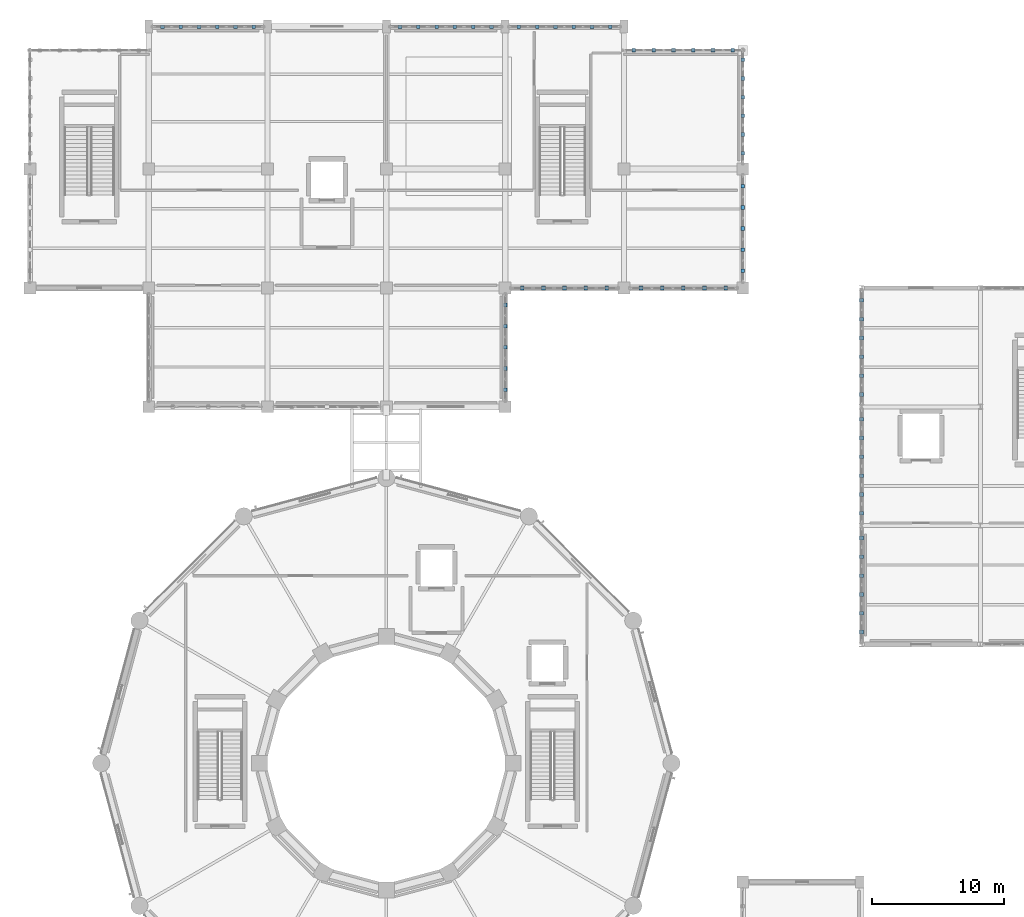
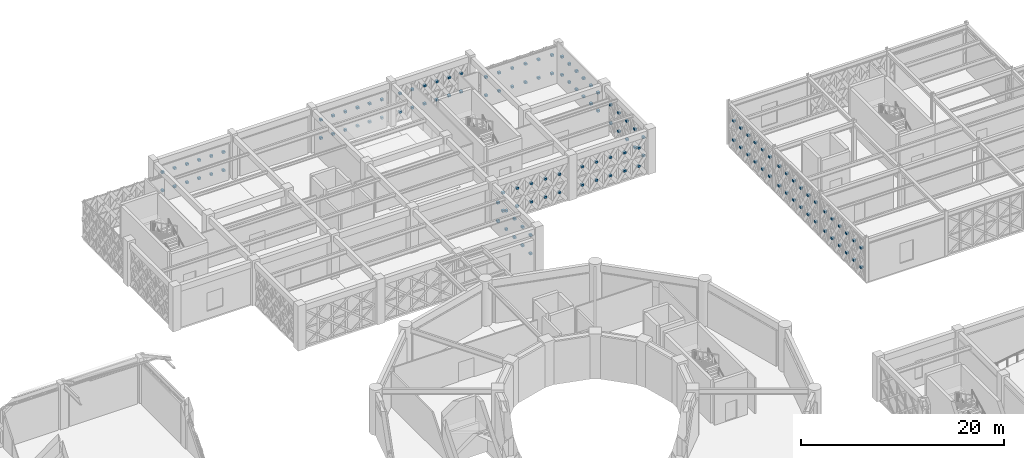
# One storey, part 152 of 166: 136 discrete accessories.
"""IFC4 building model written with IfcOpenShell, lengths in metres."""

from ifc_helpers import new_model, si_unit, direction, frame, origin, origin_2d, place, context, subcontext, project, spatial, rectangle, extrude, material, type_object, element, save


model = new_model("IFC4")

# Units and contexts
model_context = context("Model", 3, precision=1e-05, world=origin(), true_north=direction((0.0, 1.0)))
body_context = subcontext(model_context, "Body", "Model", "MODEL_VIEW")
ifc_project = project(units=[si_unit("LENGTHUNIT", "METRE"), si_unit("AREAUNIT", "SQUARE_METRE"), si_unit("VOLUMEUNIT", "CUBIC_METRE"), si_unit("PLANEANGLEUNIT", "RADIAN"), si_unit("MASSUNIT", "GRAM", prefix="KILO")], contexts=[model_context])

# Site, building, storey
site_placement = place(None, origin())
site = spatial("IfcSite", under=ifc_project, at=site_placement, CompositionType="ELEMENT")
building_placement = place(site_placement, origin())
building = spatial("IfcBuilding", under=site, at=building_placement, Name="Haizhuo Lancet Aquarium", CompositionType="ELEMENT")
storey_placement = place(building_placement, frame((0.0, 0.0, 5.39990234375)))
storey = spatial("IfcBuildingStorey", under=building, at=storey_placement, Name="L01", CompositionType="ELEMENT", Elevation=5.39990234375)

# Discrete accessories
ifc_material = material(Name="Steel S355", Category="steel")
discrete_accessory_type = type_object("IfcDiscreteAccessoryType", Name="ACC-END-CAP", PredefinedType="BRACKET", material=ifc_material)
for number, where, z_axis, x_axis, name in (
    (1, (-16.9619140625, 55.800048828125, 0.97802734375), (0.0, 0.0, 1.0), (1.0, 0.0, 0.0), "L01 X-brace crossing gusset plate XN-CW-V5-L01-131-LB01B1"),
    (2, (-16.9619140625, 55.800048828125, 3.171875), (0.0, 0.0, 1.0), (1.0, 0.0, 0.0), "L01 X-brace crossing gusset plate XN-CW-V5-L01-131-LB02B1"),
    (3, (-15.577880859375, 55.800048828125, 0.97802734375), (0.0, 0.0, 1.0), (1.0, 0.0, 0.0), "L01 X-brace crossing gusset plate XN-CW-V5-L01-131-LB03B1"),
    (4, (-15.577880859375, 55.800048828125, 3.171875), (0.0, 0.0, 1.0), (1.0, 0.0, 0.0), "L01 X-brace crossing gusset plate XN-CW-V5-L01-131-LB04B1"),
    (5, (-14.19189453125, 55.800048828125, 0.97802734375), (0.0, 0.0, 1.0), (1.0, 0.0, 0.0), "L01 X-brace crossing gusset plate XN-CW-V5-L01-131-LB05B1"),
    (6, (-14.19189453125, 55.800048828125, 3.171875), (0.0, 0.0, 1.0), (1.0, 0.0, 0.0), "L01 X-brace crossing gusset plate XN-CW-V5-L01-131-LB06B1"),
    (7, (-12.80810546875, 55.800048828125, 0.97802734375), (0.0, 0.0, 1.0), (1.0, 0.0, 0.0), "L01 X-brace crossing gusset plate XN-CW-V5-L01-131-LB07B1"),
    (8, (-12.80810546875, 55.800048828125, 3.171875), (0.0, 0.0, 1.0), (1.0, 0.0, 0.0), "L01 X-brace crossing gusset plate XN-CW-V5-L01-131-LB08B1"),
    (9, (-11.422119140625, 55.800048828125, 0.97802734375), (0.0, 0.0, 1.0), (1.0, 0.0, 0.0), "L01 X-brace crossing gusset plate XN-CW-V5-L01-131-LB09B1"),
    (10, (-11.422119140625, 55.800048828125, 3.171875), (0.0, 0.0, 1.0), (1.0, 0.0, 0.0), "L01 X-brace crossing gusset plate XN-CW-V5-L01-131-LB10B1"),
    (11, (-10.0380859375, 55.800048828125, 0.97802734375), (0.0, 0.0, 1.0), (1.0, 0.0, 0.0), "L01 X-brace crossing gusset plate XN-CW-V5-L01-131-LB11B1"),
    (12, (-10.0380859375, 55.800048828125, 3.171875), (0.0, 0.0, 1.0), (1.0, 0.0, 0.0), "L01 X-brace crossing gusset plate XN-CW-V5-L01-131-LB12B1"),
    (13, (1.0380859375, 55.800048828125, 0.97802734375), (0.0, 0.0, 1.0), (1.0, 0.0, 0.0), "L01 X-brace crossing gusset plate XN-CW-V5-L01-132-LB01B1"),
    (14, (1.0380859375, 55.800048828125, 3.171875), (0.0, 0.0, 1.0), (1.0, 0.0, 0.0), "L01 X-brace crossing gusset plate XN-CW-V5-L01-132-LB02B1"),
    (15, (2.423095703125, 55.800048828125, 0.97802734375), (0.0, 0.0, 1.0), (1.0, 0.0, 0.0), "L01 X-brace crossing gusset plate XN-CW-V5-L01-132-LB03B1"),
    (16, (2.423095703125, 55.800048828125, 3.171875), (0.0, 0.0, 1.0), (1.0, 0.0, 0.0), "L01 X-brace crossing gusset plate XN-CW-V5-L01-132-LB04B1"),
    (17, (3.80810546875, 55.800048828125, 0.97802734375), (0.0, 0.0, 1.0), (1.0, 0.0, 0.0), "L01 X-brace crossing gusset plate XN-CW-V5-L01-132-LB05B1"),
    (18, (3.80810546875, 55.800048828125, 3.171875), (0.0, 0.0, 1.0), (1.0, 0.0, 0.0), "L01 X-brace crossing gusset plate XN-CW-V5-L01-132-LB06B1"),
    (19, (5.19189453125, 55.800048828125, 0.97802734375), (0.0, 0.0, 1.0), (1.0, 0.0, 0.0), "L01 X-brace crossing gusset plate XN-CW-V5-L01-132-LB07B1"),
    (20, (5.19189453125, 55.800048828125, 3.171875), (0.0, 0.0, 1.0), (1.0, 0.0, 0.0), "L01 X-brace crossing gusset plate XN-CW-V5-L01-132-LB08B1"),
    (21, (6.576904296875, 55.800048828125, 0.97802734375), (0.0, 0.0, 1.0), (1.0, 0.0, 0.0), "L01 X-brace crossing gusset plate XN-CW-V5-L01-132-LB09B1"),
    (22, (6.576904296875, 55.800048828125, 3.171875), (0.0, 0.0, 1.0), (1.0, 0.0, 0.0), "L01 X-brace crossing gusset plate XN-CW-V5-L01-132-LB10B1"),
    (23, (7.9619140625, 55.800048828125, 0.97802734375), (0.0, 0.0, 1.0), (1.0, 0.0, 0.0), "L01 X-brace crossing gusset plate XN-CW-V5-L01-132-LB11B1"),
    (24, (7.9619140625, 55.800048828125, 3.171875), (0.0, 0.0, 1.0), (1.0, 0.0, 0.0), "L01 X-brace crossing gusset plate XN-CW-V5-L01-132-LB12B1"),
    (25, (10.0380859375, 55.800048828125, 0.97802734375), (0.0, 0.0, 1.0), (1.0, 0.0, 0.0), "L01 X-brace crossing gusset plate XN-CW-V5-L01-133-LB01B1"),
    (26, (10.0380859375, 55.800048828125, 3.171875), (0.0, 0.0, 1.0), (1.0, 0.0, 0.0), "L01 X-brace crossing gusset plate XN-CW-V5-L01-133-LB02B1"),
    (27, (11.422119140625, 55.800048828125, 0.97802734375), (0.0, 0.0, 1.0), (1.0, 0.0, 0.0), "L01 X-brace crossing gusset plate XN-CW-V5-L01-133-LB03B1"),
    (28, (11.422119140625, 55.800048828125, 3.171875), (0.0, 0.0, 1.0), (1.0, 0.0, 0.0), "L01 X-brace crossing gusset plate XN-CW-V5-L01-133-LB04B1"),
    (29, (12.80810546875, 55.800048828125, 0.97802734375), (0.0, 0.0, 1.0), (1.0, 0.0, 0.0), "L01 X-brace crossing gusset plate XN-CW-V5-L01-133-LB05B1"),
    (30, (12.80810546875, 55.800048828125, 3.171875), (0.0, 0.0, 1.0), (1.0, 0.0, 0.0), "L01 X-brace crossing gusset plate XN-CW-V5-L01-133-LB06B1"),
    (31, (14.19189453125, 55.800048828125, 0.97802734375), (0.0, 0.0, 1.0), (1.0, 0.0, 0.0), "L01 X-brace crossing gusset plate XN-CW-V5-L01-133-LB07B1"),
    (32, (14.19189453125, 55.800048828125, 3.171875), (0.0, 0.0, 1.0), (1.0, 0.0, 0.0), "L01 X-brace crossing gusset plate XN-CW-V5-L01-133-LB08B1"),
    (33, (15.577880859375, 55.800048828125, 0.97802734375), (0.0, 0.0, 1.0), (1.0, 0.0, 0.0), "L01 X-brace crossing gusset plate XN-CW-V5-L01-133-LB09B1"),
    (34, (15.577880859375, 55.800048828125, 3.171875), (0.0, 0.0, 1.0), (1.0, 0.0, 0.0), "L01 X-brace crossing gusset plate XN-CW-V5-L01-133-LB10B1"),
    (35, (16.9619140625, 55.800048828125, 0.97802734375), (0.0, 0.0, 1.0), (1.0, 0.0, 0.0), "L01 X-brace crossing gusset plate XN-CW-V5-L01-133-LB11B1"),
    (36, (16.9619140625, 55.800048828125, 3.171875), (0.0, 0.0, 1.0), (1.0, 0.0, 0.0), "L01 X-brace crossing gusset plate XN-CW-V5-L01-133-LB12B1"),
    (37, (18.75, 54.0, 0.986328125), (0.0, 0.0, 1.0), (1.0, 0.0, 0.0), "L01 X-brace crossing gusset plate XN-CW-V5-L01-134-LB01B1"),
    (38, (18.75, 54.0, 3.1982421875), (0.0, 0.0, 1.0), (1.0, 0.0, 0.0), "L01 X-brace crossing gusset plate XN-CW-V5-L01-134-LB02B1"),
    (39, (20.25, 54.0, 0.986328125), (0.0, 0.0, 1.0), (1.0, 0.0, 0.0), "L01 X-brace crossing gusset plate XN-CW-V5-L01-134-LB03B1"),
    (40, (20.25, 54.0, 3.1982421875), (0.0, 0.0, 1.0), (1.0, 0.0, 0.0), "L01 X-brace crossing gusset plate XN-CW-V5-L01-134-LB04B1"),
    (41, (21.75, 54.0, 0.986328125), (0.0, 0.0, 1.0), (1.0, 0.0, 0.0), "L01 X-brace crossing gusset plate XN-CW-V5-L01-134-LB05B1"),
    (42, (21.75, 54.0, 3.1982421875), (0.0, 0.0, 1.0), (1.0, 0.0, 0.0), "L01 X-brace crossing gusset plate XN-CW-V5-L01-134-LB06B1"),
    (43, (23.25, 54.0, 0.986328125), (0.0, 0.0, 1.0), (1.0, 0.0, 0.0), "L01 X-brace crossing gusset plate XN-CW-V5-L01-134-LB07B1"),
    (44, (23.25, 54.0, 3.1982421875), (0.0, 0.0, 1.0), (1.0, 0.0, 0.0), "L01 X-brace crossing gusset plate XN-CW-V5-L01-134-LB08B1"),
    (45, (24.75, 54.0, 0.986328125), (0.0, 0.0, 1.0), (1.0, 0.0, 0.0), "L01 X-brace crossing gusset plate XN-CW-V5-L01-134-LB09B1"),
    (46, (24.75, 54.0, 3.1982421875), (0.0, 0.0, 1.0), (1.0, 0.0, 0.0), "L01 X-brace crossing gusset plate XN-CW-V5-L01-134-LB10B1"),
    (47, (26.25, 54.0, 0.986328125), (0.0, 0.0, 1.0), (1.0, 0.0, 0.0), "L01 X-brace crossing gusset plate XN-CW-V5-L01-134-LB11B1"),
    (48, (26.25, 54.0, 3.1982421875), (0.0, 0.0, 1.0), (1.0, 0.0, 0.0), "L01 X-brace crossing gusset plate XN-CW-V5-L01-134-LB12B1"),
    (49, (27.0, 53.291015625, 0.97412109375), (0.0, 0.0, 1.0), (1.0, 0.0, 0.0), "L01 X-brace crossing gusset plate XN-CW-V5-L01-135-LB01B1"),
    (50, (27.0, 53.291015625, 3.1611328125), (0.0, 0.0, 1.0), (1.0, 0.0, 0.0), "L01 X-brace crossing gusset plate XN-CW-V5-L01-135-LB02B1"),
    (51, (27.0, 51.873046875, 0.97412109375), (0.0, 0.0, 1.0), (1.0, 0.0, 0.0), "L01 X-brace crossing gusset plate XN-CW-V5-L01-135-LB03B1"),
    (52, (27.0, 51.873046875, 3.1611328125), (0.0, 0.0, 1.0), (1.0, 0.0, 0.0), "L01 X-brace crossing gusset plate XN-CW-V5-L01-135-LB04B1"),
    (53, (27.0, 50.4560546875, 0.97412109375), (0.0, 0.0, 1.0), (1.0, 0.0, 0.0), "L01 X-brace crossing gusset plate XN-CW-V5-L01-135-LB05B1"),
    (54, (27.0, 50.4560546875, 3.1611328125), (0.0, 0.0, 1.0), (1.0, 0.0, 0.0), "L01 X-brace crossing gusset plate XN-CW-V5-L01-135-LB06B1"),
    (55, (27.0, 49.0390625, 0.97412109375), (0.0, 0.0, 1.0), (1.0, 0.0, 0.0), "L01 X-brace crossing gusset plate XN-CW-V5-L01-135-LB07B1"),
    (56, (27.0, 49.0390625, 3.1611328125), (0.0, 0.0, 1.0), (1.0, 0.0, 0.0), "L01 X-brace crossing gusset plate XN-CW-V5-L01-135-LB08B1"),
    (57, (27.0, 47.62109375, 0.97412109375), (0.0, 0.0, 1.0), (1.0, 0.0, 0.0), "L01 X-brace crossing gusset plate XN-CW-V5-L01-135-LB09B1"),
    (58, (27.0, 47.62109375, 3.1611328125), (0.0, 0.0, 1.0), (1.0, 0.0, 0.0), "L01 X-brace crossing gusset plate XN-CW-V5-L01-135-LB10B1"),
    (59, (27.0, 46.202880859375, 0.97412109375), (0.0, 0.0, 1.0), (1.0, 0.0, 0.0), "L01 X-brace crossing gusset plate XN-CW-V5-L01-135-LB11B1"),
    (60, (27.0, 46.202880859375, 3.1611328125), (0.0, 0.0, 1.0), (1.0, 0.0, 0.0), "L01 X-brace crossing gusset plate XN-CW-V5-L01-135-LB12B1"),
    (61, (27.0, 43.7041015625, 0.990234375), (0.0, 0.0, 1.0), (1.0, 0.0, 0.0), "L01 X-brace crossing gusset plate XN-CW-V5-L01-136-LB01B1"),
    (62, (27.0, 43.7041015625, 3.2099609375), (0.0, 0.0, 1.0), (1.0, 0.0, 0.0), "L01 X-brace crossing gusset plate XN-CW-V5-L01-136-LB02B1"),
    (63, (27.0, 42.10205078125, 0.990234375), (0.0, 0.0, 1.0), (1.0, 0.0, 0.0), "L01 X-brace crossing gusset plate XN-CW-V5-L01-136-LB03B1"),
    (64, (27.0, 42.10205078125, 3.2099609375), (0.0, 0.0, 1.0), (1.0, 0.0, 0.0), "L01 X-brace crossing gusset plate XN-CW-V5-L01-136-LB04B1"),
    (65, (27.0, 40.5, 0.990234375), (0.0, 0.0, 1.0), (1.0, 0.0, 0.0), "L01 X-brace crossing gusset plate XN-CW-V5-L01-136-LB05B1"),
    (66, (27.0, 40.5, 3.2099609375), (0.0, 0.0, 1.0), (1.0, 0.0, 0.0), "L01 X-brace crossing gusset plate XN-CW-V5-L01-136-LB06B1"),
    (67, (27.0, 38.89794921875, 0.990234375), (0.0, 0.0, 1.0), (1.0, 0.0, 0.0), "L01 X-brace crossing gusset plate XN-CW-V5-L01-136-LB07B1"),
    (68, (27.0, 38.89794921875, 3.2099609375), (0.0, 0.0, 1.0), (1.0, 0.0, 0.0), "L01 X-brace crossing gusset plate XN-CW-V5-L01-136-LB08B1"),
    (69, (27.0, 37.2958984375, 0.990234375), (0.0, 0.0, 1.0), (1.0, 0.0, 0.0), "L01 X-brace crossing gusset plate XN-CW-V5-L01-136-LB09B1"),
    (70, (27.0, 37.2958984375, 3.2099609375), (0.0, 0.0, 1.0), (1.0, 0.0, 0.0), "L01 X-brace crossing gusset plate XN-CW-V5-L01-136-LB10B1"),
    (71, (25.7041015625, 36.0, 0.97802734375), (0.0, 0.0, 1.0), (1.0, 0.0, 0.0), "L01 X-brace crossing gusset plate XN-CW-V5-L01-137-LB01B1"),
    (72, (25.7041015625, 36.0, 3.171875), (0.0, 0.0, 1.0), (1.0, 0.0, 0.0), "L01 X-brace crossing gusset plate XN-CW-V5-L01-137-LB02B1"),
    (73, (24.10205078125, 36.0, 0.97802734375), (0.0, 0.0, 1.0), (1.0, 0.0, 0.0), "L01 X-brace crossing gusset plate XN-CW-V5-L01-137-LB03B1"),
    (74, (24.10205078125, 36.0, 3.171875), (0.0, 0.0, 1.0), (1.0, 0.0, 0.0), "L01 X-brace crossing gusset plate XN-CW-V5-L01-137-LB04B1"),
    (75, (22.5, 36.0, 0.97802734375), (0.0, 0.0, 1.0), (1.0, 0.0, 0.0), "L01 X-brace crossing gusset plate XN-CW-V5-L01-137-LB05B1"),
    (76, (22.5, 36.0, 3.171875), (0.0, 0.0, 1.0), (1.0, 0.0, 0.0), "L01 X-brace crossing gusset plate XN-CW-V5-L01-137-LB06B1"),
    (77, (20.89794921875, 36.0, 0.97802734375), (0.0, 0.0, 1.0), (1.0, 0.0, 0.0), "L01 X-brace crossing gusset plate XN-CW-V5-L01-137-LB07B1"),
    (78, (20.89794921875, 36.0, 3.171875), (0.0, 0.0, 1.0), (1.0, 0.0, 0.0), "L01 X-brace crossing gusset plate XN-CW-V5-L01-137-LB08B1"),
    (79, (19.2958984375, 36.0, 0.97802734375), (0.0, 0.0, 1.0), (1.0, 0.0, 0.0), "L01 X-brace crossing gusset plate XN-CW-V5-L01-137-LB09B1"),
    (80, (19.2958984375, 36.0, 3.171875), (0.0, 0.0, 1.0), (1.0, 0.0, 0.0), "L01 X-brace crossing gusset plate XN-CW-V5-L01-137-LB10B1"),
    (81, (16.7041015625, 36.0, 0.97802734375), (0.0, 0.0, 1.0), (1.0, 0.0, 0.0), "L01 X-brace crossing gusset plate XN-CW-V5-L01-138-LB01B1"),
    (82, (16.7041015625, 36.0, 3.171875), (0.0, 0.0, 1.0), (1.0, 0.0, 0.0), "L01 X-brace crossing gusset plate XN-CW-V5-L01-138-LB02B1"),
    (83, (15.10205078125, 36.0, 0.97802734375), (0.0, 0.0, 1.0), (1.0, 0.0, 0.0), "L01 X-brace crossing gusset plate XN-CW-V5-L01-138-LB03B1"),
    (84, (15.10205078125, 36.0, 3.171875), (0.0, 0.0, 1.0), (1.0, 0.0, 0.0), "L01 X-brace crossing gusset plate XN-CW-V5-L01-138-LB04B1"),
    (85, (13.5, 36.0, 0.97802734375), (0.0, 0.0, 1.0), (1.0, 0.0, 0.0), "L01 X-brace crossing gusset plate XN-CW-V5-L01-138-LB05B1"),
    (86, (13.5, 36.0, 3.171875), (0.0, 0.0, 1.0), (1.0, 0.0, 0.0), "L01 X-brace crossing gusset plate XN-CW-V5-L01-138-LB06B1"),
    (87, (11.89794921875, 36.0, 0.97802734375), (0.0, 0.0, 1.0), (1.0, 0.0, 0.0), "L01 X-brace crossing gusset plate XN-CW-V5-L01-138-LB07B1"),
    (88, (11.89794921875, 36.0, 3.171875), (0.0, 0.0, 1.0), (1.0, 0.0, 0.0), "L01 X-brace crossing gusset plate XN-CW-V5-L01-138-LB08B1"),
    (89, (10.2958984375, 36.0, 0.97802734375), (0.0, 0.0, 1.0), (1.0, 0.0, 0.0), "L01 X-brace crossing gusset plate XN-CW-V5-L01-138-LB09B1"),
    (90, (10.2958984375, 36.0, 3.171875), (0.0, 0.0, 1.0), (1.0, 0.0, 0.0), "L01 X-brace crossing gusset plate XN-CW-V5-L01-138-LB10B1"),
    (91, (9.0, 34.7041015625, 0.990234375), (0.0, 0.0, 1.0), (1.0, 0.0, 0.0), "L01 X-brace crossing gusset plate XN-CW-V5-L01-139-LB01B1"),
    (92, (9.0, 34.7041015625, 3.2099609375), (0.0, 0.0, 1.0), (1.0, 0.0, 0.0), "L01 X-brace crossing gusset plate XN-CW-V5-L01-139-LB02B1"),
    (93, (9.0, 33.10205078125, 0.990234375), (0.0, 0.0, 1.0), (1.0, 0.0, 0.0), "L01 X-brace crossing gusset plate XN-CW-V5-L01-139-LB03B1"),
    (94, (9.0, 33.10205078125, 3.2099609375), (0.0, 0.0, 1.0), (1.0, 0.0, 0.0), "L01 X-brace crossing gusset plate XN-CW-V5-L01-139-LB04B1"),
    (95, (9.0, 31.5, 0.990234375), (0.0, 0.0, 1.0), (1.0, 0.0, 0.0), "L01 X-brace crossing gusset plate XN-CW-V5-L01-139-LB05B1"),
    (96, (9.0, 31.5, 3.2099609375), (0.0, 0.0, 1.0), (1.0, 0.0, 0.0), "L01 X-brace crossing gusset plate XN-CW-V5-L01-139-LB06B1"),
    (97, (9.0, 29.89794921875, 0.990234375), (0.0, 0.0, 1.0), (1.0, 0.0, 0.0), "L01 X-brace crossing gusset plate XN-CW-V5-L01-139-LB07B1"),
    (98, (9.0, 29.89794921875, 3.2099609375), (0.0, 0.0, 1.0), (1.0, 0.0, 0.0), "L01 X-brace crossing gusset plate XN-CW-V5-L01-139-LB08B1"),
    (99, (9.0, 28.2958984375, 0.990234375), (0.0, 0.0, 1.0), (1.0, 0.0, 0.0), "L01 X-brace crossing gusset plate XN-CW-V5-L01-139-LB09B1"),
    (100, (9.0, 28.2958984375, 3.2099609375), (0.0, 0.0, 1.0), (1.0, 0.0, 0.0), "L01 X-brace crossing gusset plate XN-CW-V5-L01-139-LB10B1"),
    (101, (36.0, 9.93408203125, 1.04296875), (0.0, 0.0, 1.0), (1.0, 0.0, 0.0), "L01 X-brace crossing gusset plate XN-CW-V7-L01-293-LB01B1"),
    (102, (36.0, 9.93408203125, 3.369140625), (0.0, 0.0, 1.0), (1.0, 0.0, 0.0), "L01 X-brace crossing gusset plate XN-CW-V7-L01-293-LB02B1"),
    (103, (36.0, 11.360107421875, 1.04296875), (0.0, 0.0, 1.0), (1.0, 0.0, 0.0), "L01 X-brace crossing gusset plate XN-CW-V7-L01-293-LB03B1"),
    (104, (36.0, 11.360107421875, 3.369140625), (0.0, 0.0, 1.0), (1.0, 0.0, 0.0), "L01 X-brace crossing gusset plate XN-CW-V7-L01-293-LB04B1"),
    (105, (36.0, 12.787109375, 1.04296875), (0.0, 0.0, 1.0), (1.0, 0.0, 0.0), "L01 X-brace crossing gusset plate XN-CW-V7-L01-293-LB05B1"),
    (106, (36.0, 12.787109375, 3.369140625), (0.0, 0.0, 1.0), (1.0, 0.0, 0.0), "L01 X-brace crossing gusset plate XN-CW-V7-L01-293-LB06B1"),
    (107, (36.0, 14.212890625, 1.04296875), (0.0, 0.0, 1.0), (1.0, 0.0, 0.0), "L01 X-brace crossing gusset plate XN-CW-V7-L01-293-LB07B1"),
    (108, (36.0, 14.212890625, 3.369140625), (0.0, 0.0, 1.0), (1.0, 0.0, 0.0), "L01 X-brace crossing gusset plate XN-CW-V7-L01-293-LB08B1"),
    (109, (36.0, 15.639892578125, 1.04296875), (0.0, 0.0, 1.0), (1.0, 0.0, 0.0), "L01 X-brace crossing gusset plate XN-CW-V7-L01-293-LB09B1"),
    (110, (36.0, 15.639892578125, 3.369140625), (0.0, 0.0, 1.0), (1.0, 0.0, 0.0), "L01 X-brace crossing gusset plate XN-CW-V7-L01-293-LB10B1"),
    (111, (36.0, 17.06689453125, 1.04296875), (0.0, 0.0, 1.0), (1.0, 0.0, 0.0), "L01 X-brace crossing gusset plate XN-CW-V7-L01-293-LB11B1"),
    (112, (36.0, 17.06689453125, 3.369140625), (0.0, 0.0, 1.0), (1.0, 0.0, 0.0), "L01 X-brace crossing gusset plate XN-CW-V7-L01-293-LB12B1"),
    (113, (36.0, 18.93310546875, 1.04296875), (0.0, 0.0, 1.0), (1.0, 0.0, 0.0), "L01 X-brace crossing gusset plate XN-CW-V7-L01-294-LB01B1"),
    (114, (36.0, 18.93310546875, 3.369140625), (0.0, 0.0, 1.0), (1.0, 0.0, 0.0), "L01 X-brace crossing gusset plate XN-CW-V7-L01-294-LB02B1"),
    (115, (36.0, 20.360107421875, 1.04296875), (0.0, 0.0, 1.0), (1.0, 0.0, 0.0), "L01 X-brace crossing gusset plate XN-CW-V7-L01-294-LB03B1"),
    (116, (36.0, 20.360107421875, 3.369140625), (0.0, 0.0, 1.0), (1.0, 0.0, 0.0), "L01 X-brace crossing gusset plate XN-CW-V7-L01-294-LB04B1"),
    (117, (36.0, 21.787109375, 1.04296875), (0.0, 0.0, 1.0), (1.0, 0.0, 0.0), "L01 X-brace crossing gusset plate XN-CW-V7-L01-294-LB05B1"),
    (118, (36.0, 21.787109375, 3.369140625), (0.0, 0.0, 1.0), (1.0, 0.0, 0.0), "L01 X-brace crossing gusset plate XN-CW-V7-L01-294-LB06B1"),
    (119, (36.0, 23.212890625, 1.04296875), (0.0, 0.0, 1.0), (1.0, 0.0, 0.0), "L01 X-brace crossing gusset plate XN-CW-V7-L01-294-LB07B1"),
    (120, (36.0, 23.212890625, 3.369140625), (0.0, 0.0, 1.0), (1.0, 0.0, 0.0), "L01 X-brace crossing gusset plate XN-CW-V7-L01-294-LB08B1"),
    (121, (36.0, 24.639892578125, 1.04296875), (0.0, 0.0, 1.0), (1.0, 0.0, 0.0), "L01 X-brace crossing gusset plate XN-CW-V7-L01-294-LB09B1"),
    (122, (36.0, 24.639892578125, 3.369140625), (0.0, 0.0, 1.0), (1.0, 0.0, 0.0), "L01 X-brace crossing gusset plate XN-CW-V7-L01-294-LB10B1"),
    (123, (36.0, 26.06689453125, 1.04296875), (0.0, 0.0, 1.0), (1.0, 0.0, 0.0), "L01 X-brace crossing gusset plate XN-CW-V7-L01-294-LB11B1"),
    (124, (36.0, 26.06689453125, 3.369140625), (0.0, 0.0, 1.0), (1.0, 0.0, 0.0), "L01 X-brace crossing gusset plate XN-CW-V7-L01-294-LB12B1"),
    (125, (36.0, 27.93310546875, 1.04296875), (0.0, 0.0, 1.0), (1.0, 0.0, 0.0), "L01 X-brace crossing gusset plate XN-CW-V7-L01-295-LB01B1"),
    (126, (36.0, 27.93310546875, 3.369140625), (0.0, 0.0, 1.0), (1.0, 0.0, 0.0), "L01 X-brace crossing gusset plate XN-CW-V7-L01-295-LB02B1"),
    (127, (36.0, 29.360107421875, 1.04296875), (0.0, 0.0, 1.0), (1.0, 0.0, 0.0), "L01 X-brace crossing gusset plate XN-CW-V7-L01-295-LB03B1"),
    (128, (36.0, 29.360107421875, 3.369140625), (0.0, 0.0, 1.0), (1.0, 0.0, 0.0), "L01 X-brace crossing gusset plate XN-CW-V7-L01-295-LB04B1"),
    (129, (36.0, 30.787109375, 1.04296875), (0.0, 0.0, 1.0), (1.0, 0.0, 0.0), "L01 X-brace crossing gusset plate XN-CW-V7-L01-295-LB05B1"),
    (130, (36.0, 30.787109375, 3.369140625), (0.0, 0.0, 1.0), (1.0, 0.0, 0.0), "L01 X-brace crossing gusset plate XN-CW-V7-L01-295-LB06B1"),
    (131, (36.0, 32.212890625, 1.04296875), (0.0, 0.0, 1.0), (1.0, 0.0, 0.0), "L01 X-brace crossing gusset plate XN-CW-V7-L01-295-LB07B1"),
    (132, (36.0, 32.212890625, 3.369140625), (0.0, 0.0, 1.0), (1.0, 0.0, 0.0), "L01 X-brace crossing gusset plate XN-CW-V7-L01-295-LB08B1"),
    (133, (36.0, 33.639892578125, 1.04296875), (0.0, 0.0, 1.0), (1.0, 0.0, 0.0), "L01 X-brace crossing gusset plate XN-CW-V7-L01-295-LB09B1"),
    (134, (36.0, 33.639892578125, 3.369140625), (0.0, 0.0, 1.0), (1.0, 0.0, 0.0), "L01 X-brace crossing gusset plate XN-CW-V7-L01-295-LB10B1"),
    (135, (36.0, 35.06689453125, 1.04296875), (0.0, 0.0, 1.0), (1.0, 0.0, 0.0), "L01 X-brace crossing gusset plate XN-CW-V7-L01-295-LB11B1"),
    (136, (36.0, 35.06689453125, 3.369140625), (0.0, 0.0, 1.0), (1.0, 0.0, 0.0), "L01 X-brace crossing gusset plate XN-CW-V7-L01-295-LB12B1"),
):
    element("IfcDiscreteAccessory", number, at=place(storey_placement, frame(where, z_axis=z_axis, x_axis=x_axis)), inside=storey, type_object=discrete_accessory_type, material=ifc_material, Name=name, PredefinedType="BRACKET", context=body_context, shape_type="SweptSolid", body=[
        extrude(rectangle(XDim=0.280029296875, YDim=0.280029296875, at=origin_2d()), origin(), (0.0, 0.0, 1.0), 0.239990234375),
    ])

save(model, "model.ifc")
